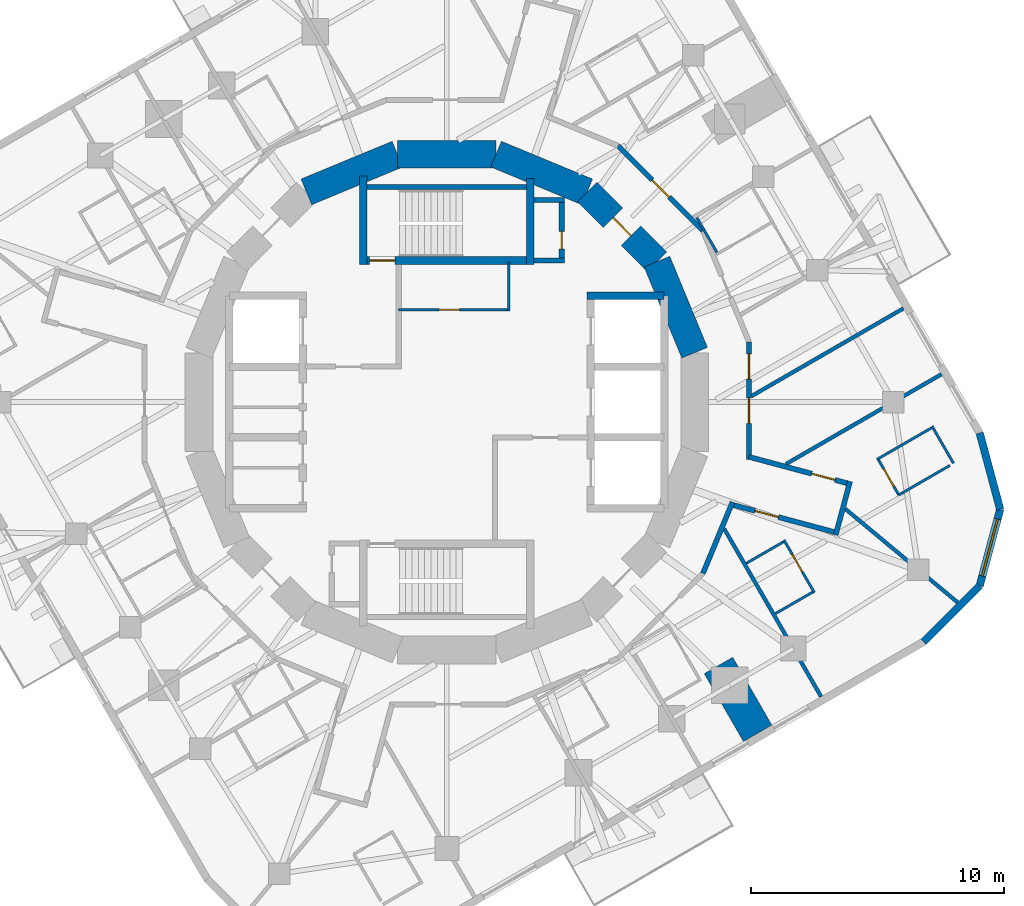
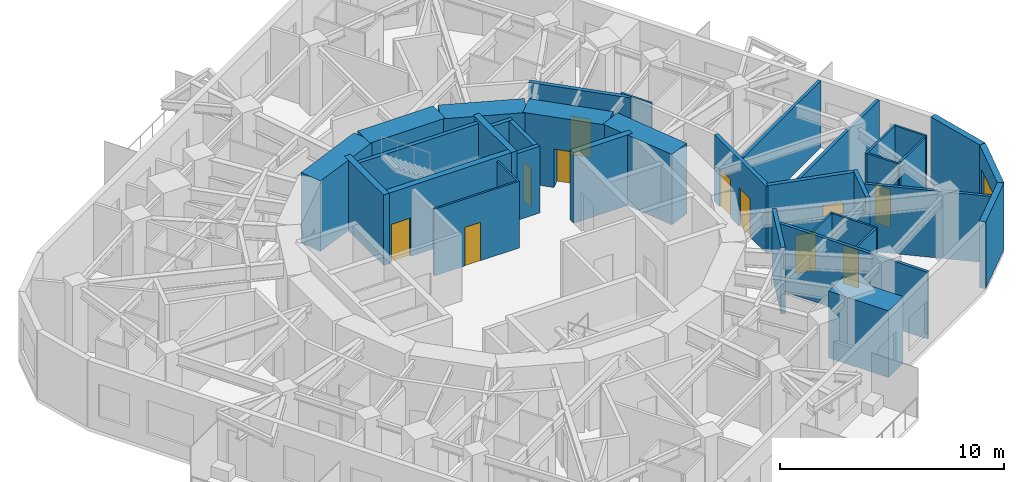
# One storey, part 7 of 11: 38 walls, 11 doors, 1 window, 12 openings.
"""IFC4 building model written with IfcOpenShell, lengths in metres."""

from ifc_helpers import new_model, si_unit, direction, frame, frame_2d, origin, place, context, subcontext, project, spatial, rectangle, extrude, material, layer, layer_set, type_object, element, fill, save


model = new_model("IFC4")

# Units and contexts
model_context = context("Model", 3, precision=1e-05, world=origin(), true_north=direction((0.0, 1.0)))
body_context = subcontext(model_context, "Body", "Model", "MODEL_VIEW")
ifc_project = project(units=[si_unit("LENGTHUNIT", "METRE"), si_unit("AREAUNIT", "SQUARE_METRE"), si_unit("VOLUMEUNIT", "CUBIC_METRE"), si_unit("PLANEANGLEUNIT", "RADIAN"), si_unit("MASSUNIT", "GRAM", prefix="KILO")], contexts=[model_context])

# Site, building, storey
site_placement = place(None, origin())
site = spatial("IfcSite", under=ifc_project, at=site_placement, CompositionType="ELEMENT")
building_placement = place(site_placement, origin())
building = spatial("IfcBuilding", under=site, at=building_placement, Name="Nakasero Lantern House", CompositionType="ELEMENT")
storey_placement = place(building_placement, frame((0.0, 0.0, 246.199951171875)))
storey = spatial("IfcBuildingStorey", under=building, at=storey_placement, Name="L60", CompositionType="ELEMENT", Elevation=246.199951171875)

# Walls
ifc_material_1 = material(Name="Blockwork", Category="masonry")
ifc_layer_1 = layer(ifc_material_1, 1.300048828125)
ifc_layer_set_1 = layer_set([ifc_layer_1], Name="Column pier 1300")
wall_type_1 = type_object("IfcWallType", Name="Column pier 1300", PredefinedType="PARTITIONING", material=ifc_layer_set_1)
wall_1_placement = place(storey_placement, frame((10.75048828125, -10.4208984375, 0.0), z_axis=(0.0, 0.0, 1.0), x_axis=(0.499933790963, -0.866063626216, 0.0)))
element("IfcWall", 1, at=wall_1_placement, inside=storey, type_object=wall_type_1, Name="Column pier L60 PN3-05", PredefinedType="PARTITIONING", context=body_context, shape_type="SweptSolid", body=[
    extrude(rectangle(XDim=3.10009765625, YDim=1.300048828125, at=frame_2d((1.550048828125, 0.0))), origin(), (0.0, 0.0, 1.0), 3.650146484375),
])
ifc_material_2 = material(Name="Concrete C50/60", Category="concrete")
ifc_layer_2 = layer(ifc_material_2, 0.300048828125)
ifc_layer_set_2 = layer_set([ifc_layer_2], Name="Core inner wall 300")
wall_type_2 = type_object("IfcWallType", Name="Core inner wall 300", PredefinedType="SHEAR", material=ifc_layer_set_2)
wall_2_placement = place(storey_placement, frame((5.550048828125, 4.199951171875, 0.0), z_axis=(0.0, 0.0, 1.0), x_axis=(1.0, 0.0, 0.0)))
element("IfcWall", 2, at=wall_2_placement, inside=storey, type_object=wall_type_2, Name="Core inner wall L60 LEN", PredefinedType="SHEAR", context=body_context, shape_type="SweptSolid", body=[
    extrude(rectangle(XDim=3.050048828125, YDim=0.300048828125, at=frame_2d((1.52490234375, 0.0))), origin(), (0.0, 0.0, 1.0), 3.85009765625),
])

# Wall, opening, door
wall_3_placement = place(storey_placement, frame((-3.449951171875, 5.60009765625, 0.0), z_axis=(0.0, 0.0, 1.0), x_axis=(1.0, 0.0, 0.0)))
wall_3 = element("IfcWall", 3, at=wall_3_placement, inside=storey, type_object=wall_type_2, Name="Core inner wall L60 SN", PredefinedType="SHEAR", context=body_context, shape_type="SweptSolid", body=[
    extrude(rectangle(XDim=6.89990234375, YDim=0.300048828125, at=frame_2d((3.449951171875, 0.0))), origin(), (0.0, 0.0, 1.0), 3.85009765625),
])
opening_1_placement = place(wall_3_placement, frame((0.39990234375, 0.0, 0.0)))
opening_1 = element("IfcOpeningElement", 4, at=opening_1_placement, cuts=wall_3, Name="Opening D05", PredefinedType="OPENING", context=body_context, shape_type="SweptSolid", body=[
    extrude(rectangle(XDim=1.0, YDim=2.10009765625, at=frame_2d((0.5, 1.050048828125))), frame((0.0, 0.169921875, 0.0), z_axis=(0.0, -1.0, 0.0), x_axis=(1.0, 0.0, 0.0)), (0.0, 0.0, 1.0), 0.340087890625),
])
ifc_material_3 = material(Name="Timber C24", Category="wood")
door_type_1 = type_object("IfcDoorType", Name="Core door FD60S 1000", OperationType="SINGLE_SWING_LEFT", PredefinedType="DOOR", material=ifc_material_3)
door_1_placement = place(opening_1_placement, origin())
door_1 = element("IfcDoor", 5, at=door_1_placement, inside=storey, type_object=door_type_1, Name="Door L60 D-ST1", OperationType="SINGLE_SWING_LEFT", OverallHeight=2.10009765625, OverallWidth=1.0, PredefinedType="DOOR", context=body_context, shape_type="SweptSolid", body=[
    extrude(rectangle(XDim=1.0, YDim=2.10009765625, at=frame_2d((0.5, 1.050048828125))), frame((0.0, 0.02490234375, 0.0), z_axis=(0.0, -1.0, 0.0), x_axis=(1.0, 0.0, 0.0)), (0.0, 0.0, 1.0), 0.050048828125),
])
fill(opening_1, door_1)

# Walls
wall_4_placement = place(storey_placement, frame((-3.300048828125, 5.449951171875, 0.0), z_axis=(0.0, 0.0, 1.0), x_axis=(0.0, 1.0, 0.0)))
element("IfcWall", 6, at=wall_4_placement, inside=storey, type_object=wall_type_2, Name="Core inner wall L60 SNW", PredefinedType="SHEAR", context=body_context, shape_type="SweptSolid", body=[
    extrude(rectangle(XDim=3.5, YDim=0.300048828125, at=frame_2d((1.75, 0.0))), origin(), (0.0, 0.0, 1.0), 3.85009765625),
])
wall_5_placement = place(storey_placement, frame((3.300048828125, 5.449951171875, 0.0), z_axis=(0.0, 0.0, 1.0), x_axis=(0.0, 1.0, 0.0)))
element("IfcWall", 7, at=wall_5_placement, inside=storey, type_object=wall_type_2, Name="Core inner wall L60 SNE", PredefinedType="SHEAR", context=body_context, shape_type="SweptSolid", body=[
    extrude(rectangle(XDim=3.400146484375, YDim=0.300048828125, at=frame_2d((1.7001953125, 0.0))), origin(), (0.0, 0.0, 1.0), 3.85009765625),
])

# Wall, opening, door
ifc_material_4 = material(Name="Blockwork", Category="masonry")
ifc_layer_3 = layer(ifc_material_4, 0.10009765625)
ifc_layer_set_3 = layer_set([ifc_layer_3], Name="Core room wall 100")
wall_type_3 = type_object("IfcWallType", Name="Core room wall 100", PredefinedType="PARTITIONING", material=ifc_layer_set_3)
wall_6_placement = place(storey_placement, frame((-1.89990234375, 3.64990234375, 0.0), z_axis=(0.0, 0.0, 1.0), x_axis=(1.0, 0.0, 0.0)))
wall_6 = element("IfcWall", 8, at=wall_6_placement, inside=storey, type_object=wall_type_3, Name="Core room wall L60 CR-NES", PredefinedType="PARTITIONING", context=body_context, shape_type="SweptSolid", body=[
    extrude(rectangle(XDim=4.39990234375, YDim=0.10009765625, at=frame_2d((2.199951171875, 0.0))), origin(), (0.0, 0.0, 1.0), 3.650146484375),
])
opening_2_placement = place(wall_6_placement, frame((1.60009765625, 0.0, 0.0)))
opening_2 = element("IfcOpeningElement", 9, at=opening_2_placement, cuts=wall_6, Name="Opening D15", PredefinedType="OPENING", context=body_context, shape_type="SweptSolid", body=[
    extrude(rectangle(XDim=0.800048828125, YDim=2.10009765625, at=frame_2d((0.39990234375, 1.050048828125))), frame((0.0, 0.070068359375, 0.0), z_axis=(0.0, -1.0, 0.0), x_axis=(1.0, 0.0, 0.0)), (0.0, 0.0, 1.0), 0.14013671875),
])
ifc_material_5 = material(Name="Timber C24", Category="wood")
door_type_2 = type_object("IfcDoorType", Name="Cleaner's store door FD30S 800", OperationType="SINGLE_SWING_LEFT", PredefinedType="DOOR", material=ifc_material_5)
door_2_placement = place(opening_2_placement, origin())
door_2 = element("IfcDoor", 10, at=door_2_placement, inside=storey, type_object=door_type_2, Name="Door L60 D-CR-NE", OperationType="SINGLE_SWING_LEFT", OverallHeight=2.10009765625, OverallWidth=0.800048828125, PredefinedType="DOOR", context=body_context, shape_type="SweptSolid", body=[
    extrude(rectangle(XDim=0.800048828125, YDim=2.10009765625, at=frame_2d((0.39990234375, 1.050048828125))), frame((0.0, 0.02490234375, 0.0), z_axis=(0.0, -1.0, 0.0), x_axis=(1.0, 0.0, 0.0)), (0.0, 0.0, 1.0), 0.050048828125),
])
fill(opening_2, door_2)

# Walls
wall_7_placement = place(storey_placement, frame((2.449951171875, 3.60009765625, 0.0), z_axis=(0.0, 0.0, 1.0), x_axis=(0.0, 1.0, 0.0)))
element("IfcWall", 11, at=wall_7_placement, inside=storey, type_object=wall_type_3, Name="Core room wall L60 CR-NEE", PredefinedType="PARTITIONING", context=body_context, shape_type="SweptSolid", body=[
    extrude(rectangle(XDim=1.949951171875, YDim=0.10009765625, at=frame_2d((0.97509765625, 0.0))), origin(), (0.0, 0.0, 1.0), 3.650146484375),
])
ifc_material_6 = material(Name="Concrete C50/60", Category="concrete")
ifc_layer_4 = layer(ifc_material_6, 1.10009765625)
ifc_layer_set_4 = layer_set([ifc_layer_4], Name="Core wall 1100")
wall_type_4 = type_object("IfcWallType", Name="Core wall 1100", PredefinedType="SHEAR", material=ifc_layer_set_4)
wall_8_placement = place(storey_placement, frame((9.807861328125, 1.950927734375, 0.0), z_axis=(0.0, 0.0, 1.0), x_axis=(-0.382690736062, 0.923876507187, 0.0)))
element("IfcWall", 12, at=wall_8_placement, inside=storey, type_object=wall_type_4, Name="Core wall L60 facet 1", PredefinedType="SHEAR", context=body_context, shape_type="SweptSolid", body=[
    extrude(rectangle(XDim=3.90185546875, YDim=1.10009765625, at=frame_2d((1.950927734375, 0.0))), origin(), (0.0, 0.0, 1.0), 3.85009765625),
])

# Wall, opening, door
wall_9_placement = place(storey_placement, frame((8.314697265625, 5.5556640625, 0.0), z_axis=(0.0, 0.0, 1.0), x_axis=(-0.707106781187, 0.707106781187, 0.0)))
wall_9 = element("IfcWall", 13, at=wall_9_placement, inside=storey, type_object=wall_type_4, Name="Core wall L60 facet 2", PredefinedType="SHEAR", context=body_context, shape_type="SweptSolid", body=[
    extrude(rectangle(XDim=3.90185546875, YDim=1.10009765625, at=frame_2d((1.950927734375, 0.0))), origin(), (0.0, 0.0, 1.0), 3.85009765625),
])
opening_3_placement = place(wall_9_placement, frame((1.450927734375, 0.0, 0.0)))
opening_3 = element("IfcOpeningElement", 14, at=opening_3_placement, cuts=wall_9, Name="Opening D05", PredefinedType="OPENING", context=body_context, shape_type="SweptSolid", body=[
    extrude(rectangle(XDim=1.0, YDim=2.10009765625, at=frame_2d((0.5, 1.050048828125))), frame((0.0, 0.570068359375, 0.0), z_axis=(0.0, -1.0, 0.0), x_axis=(1.0, 0.0, 0.0)), (0.0, 0.0, 1.0), 1.14013671875),
])
door_3_placement = place(opening_3_placement, origin())
door_3 = element("IfcDoor", 15, at=door_3_placement, inside=storey, type_object=door_type_1, Name="Door L60 D-CORE02", OperationType="SINGLE_SWING_LEFT", OverallHeight=2.10009765625, OverallWidth=1.0, PredefinedType="DOOR", context=body_context, shape_type="SweptSolid", body=[
    extrude(rectangle(XDim=1.0, YDim=2.10009765625, at=frame_2d((0.5, 1.050048828125))), frame((0.0, 0.02490234375, 0.0), z_axis=(0.0, -1.0, 0.0), x_axis=(1.0, 0.0, 0.0)), (0.0, 0.0, 1.0), 0.050048828125),
])
fill(opening_3, door_3)

# Walls
for number, where, z_axis, x_axis, name in (
    (16, (5.5556640625, 8.314697265625, 0.0), (0.0, 0.0, 1.0), (-0.923876507187, 0.382690736062, 0.0), "Core wall L60 facet 3"),
    (17, (1.950927734375, 9.807861328125, 0.0), (0.0, 0.0, 1.0), (-1.0, 0.0, 0.0), "Core wall L60 facet 4"),
    (18, (-1.950927734375, 9.807861328125, 0.0), (0.0, 0.0, 1.0), (-0.923876507187, -0.382690736062, 0.0), "Core wall L60 facet 5"),
):
    element("IfcWall", number, at=place(storey_placement, frame(where, z_axis=z_axis, x_axis=x_axis)), inside=storey, type_object=wall_type_4, Name=name, PredefinedType="SHEAR", context=body_context, shape_type="SweptSolid", body=[
        extrude(rectangle(XDim=3.90185546875, YDim=1.10009765625, at=frame_2d((1.950927734375, 0.0))), origin(), (0.0, 0.0, 1.0), 3.85009765625),
    ])

# Wall, openings, doors
ifc_material_7 = material(Name="Blockwork", Category="masonry")
ifc_layer_5 = layer(ifc_material_7, 0.199951171875)
ifc_layer_set_5 = layer_set([ifc_layer_5], Name="Corridor wall 200")
wall_type_5 = type_object("IfcWallType", Name="Corridor wall 200", PredefinedType="PARTITIONING", material=ifc_layer_set_5)
wall_10_placement = place(storey_placement, frame((11.957763671875, 2.378662109375, 0.0), z_axis=(0.0, 0.0, 1.0), x_axis=(0.0, -1.0, 0.0)))
wall_10 = element("IfcWall", 19, at=wall_10_placement, inside=storey, type_object=wall_type_5, Name="Corridor wall L60 RC00a", PredefinedType="PARTITIONING", context=body_context, shape_type="SweptSolid", body=[
    extrude(rectangle(XDim=4.651123046875, YDim=0.199951171875, at=frame_2d((2.32568359375, 0.0))), origin(), (0.0, 0.0, 1.0), 3.650146484375),
])
opening_4_placement = place(wall_10_placement, frame((2.219970703125, 0.0, 0.0)))
opening_4 = element("IfcOpeningElement", 20, at=opening_4_placement, cuts=wall_10, Name="Opening D03", PredefinedType="OPENING", context=body_context, shape_type="SweptSolid", body=[
    extrude(rectangle(XDim=1.0, YDim=2.10009765625, at=frame_2d((0.5, 1.050048828125))), frame((0.0, 0.119873046875, 0.0), z_axis=(0.0, -1.0, 0.0), x_axis=(1.0, 0.0, 0.0)), (0.0, 0.0, 1.0), 0.239990234375),
])
opening_5_placement = place(wall_10_placement, frame((0.469970703125, 0.0, 0.0)))
opening_5 = element("IfcOpeningElement", 21, at=opening_5_placement, cuts=wall_10, Name="Opening D03", PredefinedType="OPENING", context=body_context, shape_type="SweptSolid", body=[
    extrude(rectangle(XDim=1.0, YDim=2.10009765625, at=frame_2d((0.5, 1.050048828125))), frame((0.0, 0.119873046875, 0.0), z_axis=(0.0, -1.0, 0.0), x_axis=(1.0, 0.0, 0.0)), (0.0, 0.0, 1.0), 0.239990234375),
])
ifc_material_8 = material(Name="Timber C24", Category="wood")
door_type_3 = type_object("IfcDoorType", Name="Lounge door FD30S 1000", OperationType="SINGLE_SWING_LEFT", PredefinedType="DOOR", material=ifc_material_8)
door_4_placement = place(opening_4_placement, origin())
door_4 = element("IfcDoor", 22, at=door_4_placement, inside=storey, type_object=door_type_3, Name="Door L60 DK0", OperationType="SINGLE_SWING_RIGHT", OverallHeight=2.10009765625, OverallWidth=1.0, PredefinedType="DOOR", context=body_context, shape_type="SweptSolid", body=[
    extrude(rectangle(XDim=1.0, YDim=2.10009765625, at=frame_2d((0.5, 1.050048828125))), frame((0.0, 0.02490234375, 0.0), z_axis=(0.0, -1.0, 0.0), x_axis=(1.0, 0.0, 0.0)), (0.0, 0.0, 1.0), 0.050048828125),
])
fill(opening_4, door_4)
door_5_placement = place(opening_5_placement, origin())
door_5 = element("IfcDoor", 23, at=door_5_placement, inside=storey, type_object=door_type_3, Name="Door L60 DK0-1", OperationType="SINGLE_SWING_LEFT", OverallHeight=2.10009765625, OverallWidth=1.0, PredefinedType="DOOR", context=body_context, shape_type="SweptSolid", body=[
    extrude(rectangle(XDim=1.0, YDim=2.10009765625, at=frame_2d((0.5, 1.050048828125))), frame((0.0, 0.02490234375, 0.0), z_axis=(0.0, -1.0, 0.0), x_axis=(1.0, 0.0, 0.0)), (0.0, 0.0, 1.0), 0.050048828125),
])
fill(opening_5, door_5)

# Wall
wall_11_placement = place(storey_placement, frame((11.302734375, -3.960205078125, 0.0), z_axis=(0.0, 0.0, 1.0), x_axis=(-0.382656259044, -0.923890787601, 0.0)))
element("IfcWall", 24, at=wall_11_placement, inside=storey, type_object=wall_type_5, Name="Corridor wall L60 RC01a", PredefinedType="PARTITIONING", context=body_context, shape_type="SweptSolid", body=[
    extrude(rectangle(XDim=3.045166015625, YDim=0.199951171875, at=frame_2d((1.5224609375, 0.0))), origin(), (0.0, 0.0, 1.0), 3.650146484375),
])

# Wall, opening, door
wall_12_placement = place(storey_placement, frame((6.773681640625, 10.137451171875, 0.0), z_axis=(0.0, 0.0, 1.0), x_axis=(0.707106781187, -0.707106781187, 0.0)))
wall_12 = element("IfcWall", 25, at=wall_12_placement, inside=storey, type_object=wall_type_5, Name="Corridor wall L60 RC14a", PredefinedType="PARTITIONING", context=body_context, shape_type="SweptSolid", body=[
    extrude(rectangle(XDim=4.757080078125, YDim=0.199951171875, at=frame_2d((2.37841796875, 0.0))), origin(), (0.0, 0.0, 1.0), 3.650146484375),
])
opening_6_placement = place(wall_12_placement, frame((1.919921875, 0.0, 0.0)))
opening_6 = element("IfcOpeningElement", 26, at=opening_6_placement, cuts=wall_12, Name="Opening D01", PredefinedType="OPENING", context=body_context, shape_type="SweptSolid", body=[
    extrude(rectangle(XDim=0.949951171875, YDim=2.10009765625, at=frame_2d((0.47509765625, 1.050048828125))), frame((0.0, 0.119873046875, 0.0), z_axis=(0.0, -1.0, 0.0), x_axis=(1.0, 0.0, 0.0)), (0.0, 0.0, 1.0), 0.239990234375),
])
ifc_material_9 = material(Name="Timber C24", Category="wood")
door_type_4 = type_object("IfcDoorType", Name="Bedroom door FD30S 950", OperationType="SINGLE_SWING_LEFT", PredefinedType="DOOR", material=ifc_material_9)
door_6_placement = place(opening_6_placement, origin())
door_6 = element("IfcDoor", 27, at=door_6_placement, inside=storey, type_object=door_type_4, Name="Door L60 D0-04", OperationType="SINGLE_SWING_RIGHT", OverallHeight=2.10009765625, OverallWidth=0.949951171875, PredefinedType="DOOR", context=body_context, shape_type="SweptSolid", body=[
    extrude(rectangle(XDim=0.949951171875, YDim=2.10009765625, at=frame_2d((0.47509765625, 1.050048828125))), frame((0.0, 0.02490234375, 0.0), z_axis=(0.0, -1.0, 0.0), x_axis=(1.0, 0.0, 0.0)), (0.0, 0.0, 1.0), 0.050048828125),
])
fill(opening_6, door_6)

wall_13_placement = place(storey_placement, frame((11.26416015625, -4.053466796875, 0.0), z_axis=(0.0, 0.0, 1.0), x_axis=(0.965919779438, -0.258841611204, 0.0)))
wall_13 = element("IfcWall", 28, at=wall_13_placement, inside=storey, type_object=wall_type_5, Name="Corridor wall L60 SP3a", PredefinedType="PARTITIONING", context=body_context, shape_type="SweptSolid", body=[
    extrude(rectangle(XDim=4.394287109375, YDim=0.199951171875, at=frame_2d((2.197265625, 0.0))), origin(), (0.0, 0.0, 1.0), 2.809326171875),
])
opening_7_placement = place(wall_13_placement, frame((0.969970703125, 0.0, 0.0)))
opening_7 = element("IfcOpeningElement", 29, at=opening_7_placement, cuts=wall_13, Name="Opening D01", PredefinedType="OPENING", context=body_context, shape_type="SweptSolid", body=[
    extrude(rectangle(XDim=0.949951171875, YDim=2.10009765625, at=frame_2d((0.47509765625, 1.050048828125))), frame((0.0, 0.119873046875, 0.0), z_axis=(0.0, -1.0, 0.0), x_axis=(1.0, 0.0, 0.0)), (0.0, 0.0, 1.0), 0.239990234375),
])
door_7_placement = place(opening_7_placement, origin())
door_7 = element("IfcDoor", 30, at=door_7_placement, inside=storey, type_object=door_type_4, Name="Door L60 D3-06", OperationType="SINGLE_SWING_LEFT", OverallHeight=2.10009765625, OverallWidth=0.949951171875, PredefinedType="DOOR", context=body_context, shape_type="SweptSolid", body=[
    extrude(rectangle(XDim=0.949951171875, YDim=2.10009765625, at=frame_2d((0.47509765625, 1.050048828125))), frame((0.0, 0.02490234375, 0.0), z_axis=(0.0, -1.0, 0.0), x_axis=(1.0, 0.0, 0.0)), (0.0, 0.0, 1.0), 0.050048828125),
])
fill(opening_7, door_7)

wall_14_placement = place(storey_placement, frame((11.957763671875, -2.168701171875, 0.0), z_axis=(0.0, 0.0, 1.0), x_axis=(0.965916744568, -0.258852936168, 0.0)))
wall_14 = element("IfcWall", 31, at=wall_14_placement, inside=storey, type_object=wall_type_5, Name="Corridor wall L60 SP3b", PredefinedType="PARTITIONING", context=body_context, shape_type="SweptSolid", body=[
    extrude(rectangle(XDim=4.212158203125, YDim=0.199951171875, at=frame_2d((2.10595703125, 0.0))), origin(), (0.0, 0.0, 1.0), 3.650146484375),
])
opening_8_placement = place(wall_14_placement, frame((2.570068359375, 0.0, 0.0)))
opening_8 = element("IfcOpeningElement", 32, at=opening_8_placement, cuts=wall_14, Name="Opening D01", PredefinedType="OPENING", context=body_context, shape_type="SweptSolid", body=[
    extrude(rectangle(XDim=0.949951171875, YDim=2.10009765625, at=frame_2d((0.47509765625, 1.050048828125))), frame((0.0, 0.119873046875, 0.0), z_axis=(0.0, -1.0, 0.0), x_axis=(1.0, 0.0, 0.0)), (0.0, 0.0, 1.0), 0.239990234375),
])
door_8_placement = place(opening_8_placement, origin())
door_8 = element("IfcDoor", 33, at=door_8_placement, inside=storey, type_object=door_type_4, Name="Door L60 D0-00", OperationType="SINGLE_SWING_RIGHT", OverallHeight=2.10009765625, OverallWidth=0.949951171875, PredefinedType="DOOR", context=body_context, shape_type="SweptSolid", body=[
    extrude(rectangle(XDim=0.949951171875, YDim=2.10009765625, at=frame_2d((0.47509765625, 1.050048828125))), frame((0.0, 0.02490234375, 0.0), z_axis=(0.0, -1.0, 0.0), x_axis=(1.0, 0.0, 0.0)), (0.0, 0.0, 1.0), 0.050048828125),
])
fill(opening_8, door_8)

# Walls
wall_15_placement = place(storey_placement, frame((15.38623046875, -5.261474609375, 0.0), z_axis=(0.0, 0.0, 1.0), x_axis=(0.258898792763, 0.965904454439, 0.0)))
element("IfcWall", 34, at=wall_15_placement, inside=storey, type_object=wall_type_5, Name="Corridor wall L60 SP3e", PredefinedType="PARTITIONING", context=body_context, shape_type="SweptSolid", body=[
    extrude(rectangle(XDim=2.199951171875, YDim=0.199951171875, at=frame_2d((1.10009765625, 0.0))), origin(), (0.0, 0.0, 1.0), 3.650146484375),
])
ifc_material_10 = material(Name="Blockwork", Category="masonry")
ifc_layer_6 = layer(ifc_material_10, 0.10009765625)
ifc_layer_set_6 = layer_set([ifc_layer_6], Name="En-suite wall 100")
wall_type_6 = type_object("IfcWallType", Name="En-suite wall 100", PredefinedType="PARTITIONING", material=ifc_layer_set_6)
wall_16_placement = place(storey_placement, frame((17.015380859375, -2.271728515625, 0.0), z_axis=(0.0, 0.0, 1.0), x_axis=(0.866021400173, 0.500006934395, 0.0)))
element("IfcWall", 35, at=wall_16_placement, inside=storey, type_object=wall_type_6, Name="En-suite wall L60 ES0-00", PredefinedType="PARTITIONING", context=body_context, shape_type="SweptSolid", body=[
    extrude(rectangle(XDim=2.60009765625, YDim=0.10009765625, at=frame_2d((1.300048828125, 0.0))), origin(), (0.0, 0.0, 1.0), 3.650146484375),
])
wall_17_placement = place(storey_placement, frame((20.048828125, -2.425537109375, 0.0), z_axis=(0.0, 0.0, 1.0), x_axis=(-0.500061482766, 0.865989903783, 0.0)))
element("IfcWall", 36, at=wall_17_placement, inside=storey, type_object=wall_type_6, Name="En-suite wall L60 EE0-00", PredefinedType="PARTITIONING", context=body_context, shape_type="SweptSolid", body=[
    extrude(rectangle(XDim=1.599853515625, YDim=0.10009765625, at=frame_2d((0.7998046875, 0.0))), origin(), (0.0, 0.0, 1.0), 3.650146484375),
])

# Wall, opening, door
wall_18_placement = place(storey_placement, frame((17.8837890625, -3.675537109375, 0.0), z_axis=(0.0, 0.0, 1.0), x_axis=(-0.500061482766, 0.865989903783, 0.0)))
wall_18 = element("IfcWall", 37, at=wall_18_placement, inside=storey, type_object=wall_type_6, Name="En-suite wall L60 EI0-00", PredefinedType="PARTITIONING", context=body_context, shape_type="SweptSolid", body=[
    extrude(rectangle(XDim=1.599853515625, YDim=0.10009765625, at=frame_2d((0.7998046875, 0.0))), origin(), (0.0, 0.0, 1.0), 3.650146484375),
])
opening_9_placement = place(wall_18_placement, frame((0.39990234375, 0.0, 0.0)))
opening_9 = element("IfcOpeningElement", 38, at=opening_9_placement, cuts=wall_18, Name="Opening D02", PredefinedType="OPENING", context=body_context, shape_type="SweptSolid", body=[
    extrude(rectangle(XDim=0.800048828125, YDim=2.10009765625, at=frame_2d((0.39990234375, 1.050048828125))), frame((0.0, 0.070068359375, 0.0), z_axis=(0.0, -1.0, 0.0), x_axis=(1.0, 0.0, 0.0)), (0.0, 0.0, 1.0), 0.14013671875),
])
ifc_material_11 = material(Name="Timber C24", Category="wood")
door_type_5 = type_object("IfcDoorType", Name="En-suite door 800", OperationType="SINGLE_SWING_RIGHT", PredefinedType="DOOR", material=ifc_material_11)
door_9_placement = place(opening_9_placement, origin())
door_9 = element("IfcDoor", 39, at=door_9_placement, inside=storey, type_object=door_type_5, Name="Door L60 DE0-00", OperationType="SINGLE_SWING_LEFT", OverallHeight=2.10009765625, OverallWidth=0.800048828125, PredefinedType="DOOR", context=body_context, shape_type="SweptSolid", body=[
    extrude(rectangle(XDim=0.800048828125, YDim=2.10009765625, at=frame_2d((0.39990234375, 1.050048828125))), frame((0.0, 0.02490234375, 0.0), z_axis=(0.0, -1.0, 0.0), x_axis=(1.0, 0.0, 0.0)), (0.0, 0.0, 1.0), 0.050048828125),
])
fill(opening_9, door_9)

# Wall
wall_19_placement = place(storey_placement, frame((10.69287109375, 5.914794921875, 0.0), z_axis=(0.0, 0.0, 1.0), x_axis=(-0.499880961361, 0.866094119867, 0.0)))
element("IfcWall", 40, at=wall_19_placement, inside=storey, type_object=wall_type_6, Name="En-suite wall L60 EI0-03", PredefinedType="PARTITIONING", context=body_context, shape_type="SweptSolid", body=[
    extrude(rectangle(XDim=1.60009765625, YDim=0.10009765625, at=frame_2d((0.800048828125, 0.0))), origin(), (0.0, 0.0, 1.0), 3.650146484375),
])

# Wall, opening, door
wall_20_placement = place(storey_placement, frame((13.342041015625, -5.46044921875, 0.0), z_axis=(0.0, 0.0, 1.0), x_axis=(0.500033551112, -0.866006032174, 0.0)))
wall_20 = element("IfcWall", 41, at=wall_20_placement, inside=storey, type_object=wall_type_6, Name="En-suite wall L60 ES3-06", PredefinedType="PARTITIONING", context=body_context, shape_type="SweptSolid", body=[
    extrude(rectangle(XDim=2.400146484375, YDim=0.10009765625, at=frame_2d((1.2001953125, 0.0))), origin(), (0.0, 0.0, 1.0), 3.650146484375),
])
opening_10_placement = place(wall_20_placement, frame((0.64990234375, 0.0, 0.0)))
opening_10 = element("IfcOpeningElement", 42, at=opening_10_placement, cuts=wall_20, Name="Opening D02", PredefinedType="OPENING", context=body_context, shape_type="SweptSolid", body=[
    extrude(rectangle(XDim=0.800048828125, YDim=2.10009765625, at=frame_2d((0.39990234375, 1.050048828125))), frame((0.0, 0.070068359375, 0.0), z_axis=(0.0, -1.0, 0.0), x_axis=(1.0, 0.0, 0.0)), (0.0, 0.0, 1.0), 0.14013671875),
])
door_10_placement = place(opening_10_placement, origin())
door_10 = element("IfcDoor", 43, at=door_10_placement, inside=storey, type_object=door_type_5, Name="Door L60 DE3-06", OperationType="SINGLE_SWING_LEFT", OverallHeight=2.10009765625, OverallWidth=0.800048828125, PredefinedType="DOOR", context=body_context, shape_type="SweptSolid", body=[
    extrude(rectangle(XDim=0.800048828125, YDim=2.10009765625, at=frame_2d((0.39990234375, 1.050048828125))), frame((0.0, 0.02490234375, 0.0), z_axis=(0.0, -1.0, 0.0), x_axis=(1.0, 0.0, 0.0)), (0.0, 0.0, 1.0), 0.050048828125),
])
fill(opening_10, door_10)

# Walls
for number, where, z_axis, x_axis, name in (
    (44, (13.001708984375, -8.37060546875, 0.0), (0.0, 0.0, 1.0), (0.86605165483, 0.499954529098, 0.0), "En-suite wall L60 EE3-06"),
    (45, (11.8515625, -6.37890625, 0.0), (0.0, 0.0, 1.0), (0.865989465428, 0.500062241894, 0.0), "En-suite wall L60 EI3-06"),
):
    element("IfcWall", number, at=place(storey_placement, frame(where, z_axis=z_axis, x_axis=x_axis)), inside=storey, type_object=wall_type_6, Name=name, PredefinedType="PARTITIONING", context=body_context, shape_type="SweptSolid", body=[
        extrude(rectangle(XDim=1.699951171875, YDim=0.10009765625, at=frame_2d((0.85009765625, 0.0))), origin(), (0.0, 0.0, 1.0), 3.650146484375),
    ])
wall_21_placement = place(storey_placement, frame((18.022216796875, -3.595458984375, 0.0), z_axis=(0.0, 0.0, 1.0), x_axis=(0.866056906104, 0.499945432413, 0.0)))
element("IfcWall", 46, at=wall_21_placement, inside=storey, type_object=wall_type_6, Name="En-suite wall L60 EX000", PredefinedType="PARTITIONING", context=body_context, shape_type="SweptSolid", body=[
    extrude(rectangle(XDim=2.179931640625, YDim=0.10009765625, at=frame_2d((1.08984375, 0.0))), origin(), (0.0, 0.0, 1.0), 3.650146484375),
])
wall_22_placement = place(storey_placement, frame((17.8837890625, -3.675537109375, 0.0), z_axis=(0.0, 0.0, 1.0), x_axis=(0.865600433939, 0.500735348028, 0.0)))
element("IfcWall", 47, at=wall_22_placement, inside=storey, type_object=wall_type_6, Name="En-suite wall L60 EI0-00R0", PredefinedType="PARTITIONING", context=body_context, shape_type="SweptSolid", body=[
    extrude(rectangle(XDim=0.159912109375, YDim=0.10009765625, at=frame_2d((0.080078125, 0.0))), origin(), (0.0, 0.0, 1.0), 3.650146484375),
])
ifc_material_12 = material(Name="Aluminium rainscreen on blockwork", Category="masonry")
ifc_layer_7 = layer(ifc_material_12, 0.300048828125)
ifc_layer_set_7 = layer_set([ifc_layer_7], Name="Facade wall 300")
wall_type_7 = type_object("IfcWallType", Name="Facade wall 300", PredefinedType="SOLIDWALL", material=ifc_layer_set_7)
wall_23_placement = place(storey_placement, frame((18.870849609375, -9.4853515625, 0.0), z_axis=(0.0, 0.0, 1.0), x_axis=(0.707145758492, 0.707067801733, 0.0)))
element("IfcWall", 48, at=wall_23_placement, inside=storey, type_object=wall_type_7, Name="Facade wall L60 FW3C1", PredefinedType="SOLIDWALL", context=body_context, shape_type="SweptSolid", body=[
    extrude(rectangle(XDim=3.1318359375, YDim=0.300048828125, at=frame_2d((1.56591796875, 0.0))), origin(), (0.0, 0.0, 1.0), 3.650146484375),
])

# Wall, opening, window
wall_24_placement = place(storey_placement, frame((21.08544921875, -7.27099609375, 0.0), z_axis=(0.0, 0.0, 1.0), x_axis=(0.258807521156, 0.965928914048, 0.0)))
wall_24 = element("IfcWall", 49, at=wall_24_placement, inside=storey, type_object=wall_type_7, Name="Facade wall L60 FW3C2", PredefinedType="SOLIDWALL", context=body_context, shape_type="SweptSolid", body=[
    extrude(rectangle(XDim=3.1318359375, YDim=0.300048828125, at=frame_2d((1.56591796875, 0.0))), origin(), (0.0, 0.0, 1.0), 3.650146484375),
])
opening_11_placement = place(wall_24_placement, frame((0.39990234375, 0.0, 0.75)))
opening_11 = element("IfcOpeningElement", 50, at=opening_11_placement, cuts=wall_24, Name="Opening W223", PredefinedType="OPENING", context=body_context, shape_type="SweptSolid", body=[
    extrude(rectangle(XDim=2.33203125, YDim=1.800048828125, at=frame_2d((1.166015625, 0.89990234375))), frame((0.0, 0.169921875, 0.0), z_axis=(0.0, -1.0, 0.0), x_axis=(1.0, 0.0, 0.0)), (0.0, 0.0, 1.0), 0.340087890625),
])
ifc_material_13 = material(Name="Aluminium 6063-T6 and glass", Category="aluminium")
window_type = type_object("IfcWindowType", Name="Corner window 2332x1800", PartitioningType="SINGLE_PANEL", PredefinedType="WINDOW", material=ifc_material_13)
window_placement = place(opening_11_placement, origin())
window = element("IfcWindow", 51, at=window_placement, inside=storey, type_object=window_type, Name="Window L60 WC3", OverallHeight=1.800048828125, OverallWidth=2.33203125, PartitioningType="SINGLE_PANEL", PredefinedType="WINDOW", context=body_context, shape_type="SweptSolid", body=[
    extrude(rectangle(XDim=2.33203125, YDim=1.800048828125, at=frame_2d((1.166015625, 0.89990234375))), frame((0.0, 0.030029296875, 0.0), z_axis=(0.0, -1.0, 0.0), x_axis=(1.0, 0.0, 0.0)), (0.0, 0.0, 1.0), 0.06005859375),
])
fill(opening_11, window)

# Wall
wall_25_placement = place(storey_placement, frame((21.89599609375, -4.245849609375, 0.0), z_axis=(0.0, 0.0, 1.0), x_axis=(-0.258827010283, 0.96592369199, 0.0)))
element("IfcWall", 52, at=wall_25_placement, inside=storey, type_object=wall_type_7, Name="Facade wall L60 FW3C3", PredefinedType="SOLIDWALL", context=body_context, shape_type="SweptSolid", body=[
    extrude(rectangle(XDim=3.131591796875, YDim=0.300048828125, at=frame_2d((1.56591796875, 0.0))), origin(), (0.0, 0.0, 1.0), 3.650146484375),
])

# Wall, opening, door
ifc_material_14 = material(Name="Blockwork", Category="masonry")
ifc_layer_8 = layer(ifc_material_14, 0.199951171875)
ifc_layer_set_8 = layer_set([ifc_layer_8], Name="Fire lobby wall 200")
wall_type_8 = type_object("IfcWallType", Name="Fire lobby wall 200", PredefinedType="PARTITIONING", material=ifc_layer_set_8)
wall_26_placement = place(storey_placement, frame((4.550048828125, 5.60009765625, 0.0), z_axis=(0.0, 0.0, 1.0), x_axis=(0.0, 1.0, 0.0)))
wall_26 = element("IfcWall", 53, at=wall_26_placement, inside=storey, type_object=wall_type_8, Name="Fire lobby wall L60 W-RS1E", PredefinedType="PARTITIONING", context=body_context, shape_type="SweptSolid", body=[
    extrude(rectangle(XDim=2.39990234375, YDim=0.199951171875, at=frame_2d((1.199951171875, 0.0))), origin(), (0.0, 0.0, 1.0), 3.650146484375),
])
opening_12_placement = place(wall_26_placement, frame((0.449951171875, 0.0, 0.0)))
opening_12 = element("IfcOpeningElement", 54, at=opening_12_placement, cuts=wall_26, Name="Opening D06", PredefinedType="OPENING", context=body_context, shape_type="SweptSolid", body=[
    extrude(rectangle(XDim=0.699951171875, YDim=2.10009765625, at=frame_2d((0.35009765625, 1.050048828125))), frame((0.0, 0.119873046875, 0.0), z_axis=(0.0, -1.0, 0.0), x_axis=(1.0, 0.0, 0.0)), (0.0, 0.0, 1.0), 0.239990234375),
])
ifc_material_15 = material(Name="Steel S355", Category="steel")
door_type_6 = type_object("IfcDoorType", Name="Riser door FD60 700", OperationType="SINGLE_SWING_LEFT", PredefinedType="DOOR", material=ifc_material_15)
door_11_placement = place(opening_12_placement, origin())
door_11 = element("IfcDoor", 55, at=door_11_placement, inside=storey, type_object=door_type_6, Name="Door L60 D-RS1", OperationType="SINGLE_SWING_LEFT", OverallHeight=2.10009765625, OverallWidth=0.699951171875, PredefinedType="DOOR", context=body_context, shape_type="SweptSolid", body=[
    extrude(rectangle(XDim=0.699951171875, YDim=2.10009765625, at=frame_2d((0.35009765625, 1.050048828125))), frame((0.0, 0.02490234375, 0.0), z_axis=(0.0, -1.0, 0.0), x_axis=(1.0, 0.0, 0.0)), (0.0, 0.0, 1.0), 0.050048828125),
])
fill(opening_12, door_11)

# Walls
for number, where, z_axis, x_axis, name in (
    (56, (3.449951171875, 8.0, 0.0), (0.0, 0.0, 1.0), (1.0, 0.0, 0.0), "Fire lobby wall L60 W-RS1N"),
    (57, (3.449951171875, 5.60009765625, 0.0), (0.0, 0.0, 1.0), (1.0, 0.0, 0.0), "Fire lobby wall L60 W-RS1S"),
):
    element("IfcWall", number, at=place(storey_placement, frame(where, z_axis=z_axis, x_axis=x_axis)), inside=storey, type_object=wall_type_8, Name=name, PredefinedType="PARTITIONING", context=body_context, shape_type="SweptSolid", body=[
        extrude(rectangle(XDim=1.199951171875, YDim=0.199951171875, at=frame_2d((0.60009765625, 0.0))), origin(), (0.0, 0.0, 1.0), 3.650146484375),
    ])
wall_27_placement = place(storey_placement, frame((-3.300048828125, 8.5, 0.0), z_axis=(0.0, 0.0, 1.0), x_axis=(1.0, 0.0, 0.0)))
element("IfcWall", 58, at=wall_27_placement, inside=storey, type_object=wall_type_8, Name="Fire lobby wall L60 W-STN", PredefinedType="PARTITIONING", context=body_context, shape_type="SweptSolid", body=[
    extrude(rectangle(XDim=6.60009765625, YDim=0.199951171875, at=frame_2d((3.300048828125, 0.0))), origin(), (0.0, 0.0, 1.0), 3.650146484375),
])
ifc_material_16 = material(Name="Blockwork", Category="masonry")
ifc_layer_9 = layer(ifc_material_16, 0.14990234375)
ifc_layer_set_9 = layer_set([ifc_layer_9], Name="Party wall 150")
wall_type_9 = type_object("IfcWallType", Name="Party wall 150", PredefinedType="PARTITIONING", material=ifc_layer_set_9)
wall_28_placement = place(storey_placement, frame((13.4140625, -2.45556640625, 0.0), z_axis=(0.0, 0.0, 1.0), x_axis=(0.866011773653, 0.500023607337, 0.0)))
element("IfcWall", 59, at=wall_28_placement, inside=storey, type_object=wall_type_9, Name="Party wall L60 PW0-01", PredefinedType="PARTITIONING", context=body_context, shape_type="SweptSolid", body=[
    extrude(rectangle(XDim=7.111083984375, YDim=0.14990234375, at=frame_2d((3.5556640625, 0.0))), origin(), (0.0, 0.0, 1.0), 3.650146484375),
])
wall_29_placement = place(storey_placement, frame((12.057861328125, 0.236083984375, 0.0), z_axis=(0.0, 0.0, 1.0), x_axis=(0.866026229868, 0.499998569178, 0.0)))
element("IfcWall", 60, at=wall_29_placement, inside=storey, type_object=wall_type_9, Name="Party wall L60 PW0-02", PredefinedType="PARTITIONING", context=body_context, shape_type="SweptSolid", body=[
    extrude(rectangle(XDim=6.939453125, YDim=0.14990234375, at=frame_2d((3.4697265625, 0.0))), origin(), (0.0, 0.0, 1.0), 3.650146484375),
])
wall_30_placement = place(storey_placement, frame((10.9755859375, -5.011474609375, 0.0), z_axis=(0.0, 0.0, 1.0), x_axis=(0.499985976588, -0.866033500054, 0.0)))
element("IfcWall", 61, at=wall_30_placement, inside=storey, type_object=wall_type_9, Name="Party wall L60 PW3-06", PredefinedType="PARTITIONING", context=body_context, shape_type="SweptSolid", body=[
    extrude(rectangle(XDim=7.672119140625, YDim=0.14990234375, at=frame_2d((3.8359375, 0.0))), origin(), (0.0, 0.0, 1.0), 3.650146484375),
])
wall_31_placement = place(storey_placement, frame((15.767578125, -4.224853515625, 0.0), z_axis=(0.0, 0.0, 1.0), x_axis=(0.768380441131, -0.639993357533, 0.0)))
element("IfcWall", 62, at=wall_31_placement, inside=storey, type_object=wall_type_9, Name="Party wall L60 PW0-00", PredefinedType="PARTITIONING", context=body_context, shape_type="SweptSolid", body=[
    extrude(rectangle(XDim=5.78271484375, YDim=0.14990234375, at=frame_2d((2.891357421875, 0.0))), origin(), (0.0, 0.0, 1.0), 3.650146484375),
])

save(model, "model.ifc")
